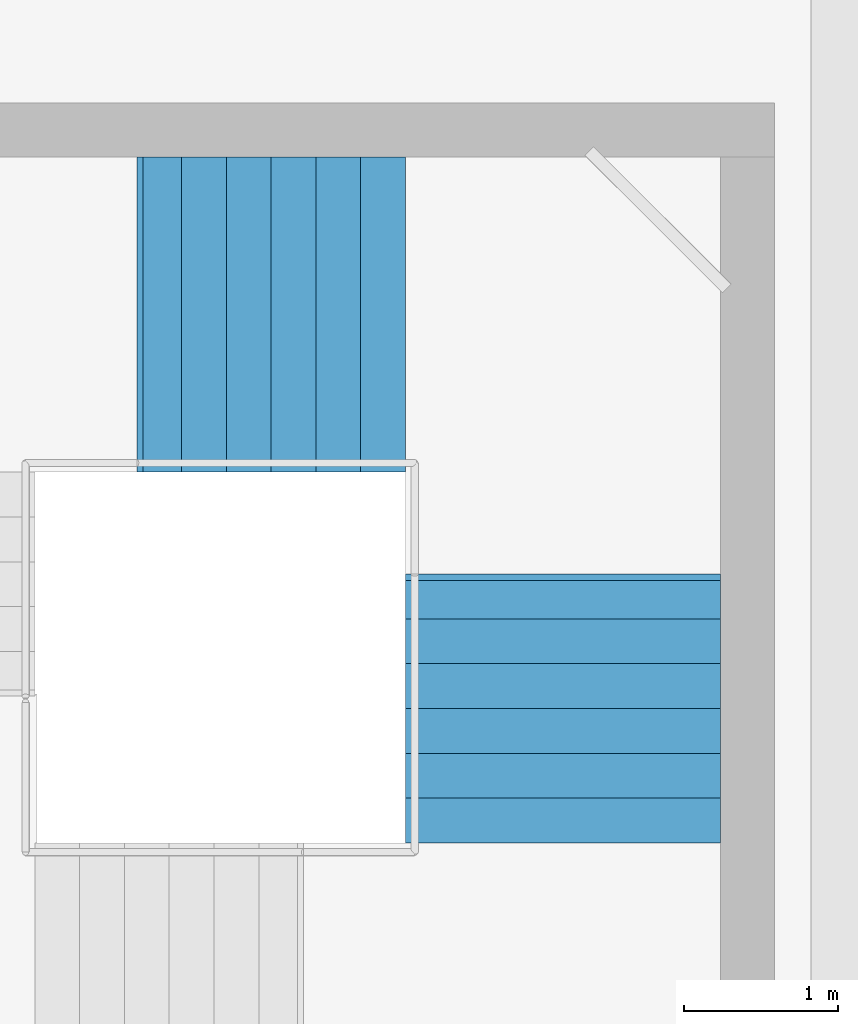
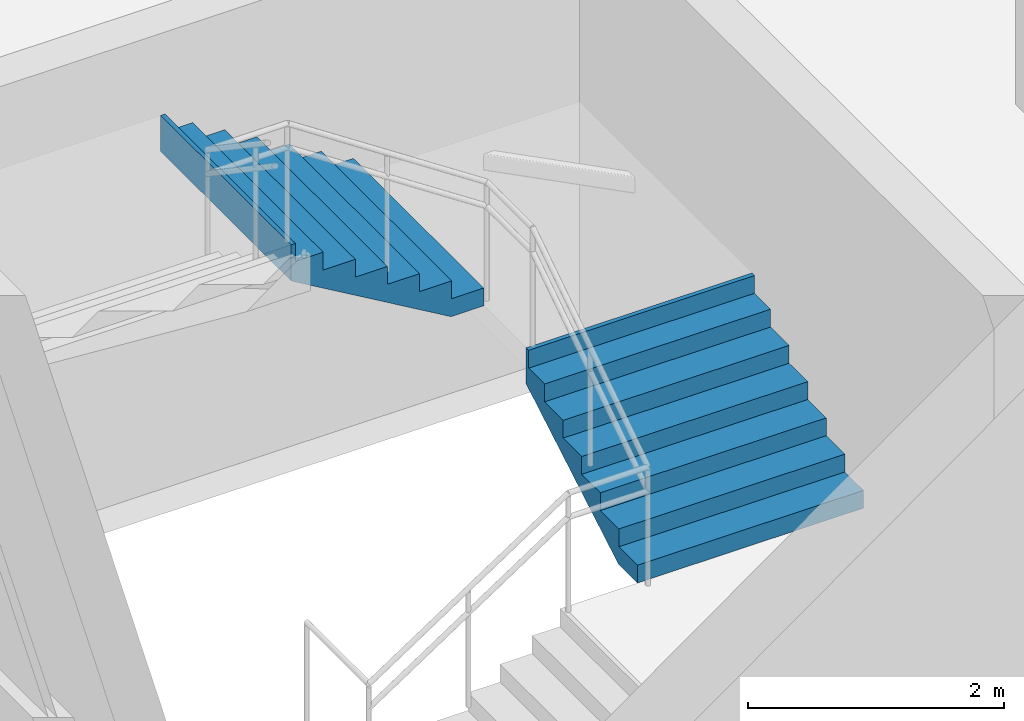
# One storey, part 47 of 49: 2 stair flights, 1 element without a shape of its own.
"""IFC4 building model written with IfcOpenShell, lengths in metres."""

from ifc_helpers import new_model, si_unit, direction, frame, origin, place, context, subcontext, project, spatial, triangles, material, type_object, element, aggregate, save


model = new_model("IFC4")

# Units and contexts
model_context = context("Model", 3, precision=1e-05, world=origin(), true_north=direction((0.0, 1.0)))
body_context = subcontext(model_context, "Body", "Model", "MODEL_VIEW")
ifc_project = project(units=[si_unit("LENGTHUNIT", "METRE"), si_unit("AREAUNIT", "SQUARE_METRE"), si_unit("VOLUMEUNIT", "CUBIC_METRE"), si_unit("PLANEANGLEUNIT", "RADIAN"), si_unit("MASSUNIT", "GRAM", prefix="KILO")], contexts=[model_context])

# Site, building, storey
site_placement = place(None, origin())
site = spatial("IfcSite", under=ifc_project, at=site_placement, CompositionType="ELEMENT")
building_placement = place(site_placement, origin())
building = spatial("IfcBuilding", under=site, at=building_placement, Name="Sillaruma Civic Art Gallery", CompositionType="ELEMENT")
storey_placement = place(building_placement, frame((0.0, 0.0, 33.14990234375)))
storey = spatial("IfcBuildingStorey", under=building, at=storey_placement, Name="L06", CompositionType="ELEMENT", Elevation=33.14990234375)

# Stair, stair flights
ifc_material = material(Name="Concrete H35 (35 MPa)", Category="concrete")
stair_type = type_object("IfcStairType", Name="STR-4F-27", PredefinedType="USERDEFINED", material=ifc_material)
stair_placement = place(storey_placement, origin())
stair = element("IfcStair", 1, at=stair_placement, inside=storey, type_object=stair_type, Name="Protected Exit Stair ST-02 (West Bar North) (L06)", ObjectType="THREE_RETURN_STAIR", PredefinedType="USERDEFINED")
stair_flight_type = type_object("IfcStairFlightType", Name="SFL-STR-7", PredefinedType="STRAIGHT", material=ifc_material)
stair_flight_1_placement = place(storey_placement, frame((68.219970703125, 82.949951171875, 1.190185546875), z_axis=(0.0, 0.0, 1.0), x_axis=(0.0, 1.0, 0.0)))
stair_flight_1 = element("IfcStairFlight", 2, at=stair_flight_1_placement, type_object=stair_flight_type, Name="ST-02 flight 2", NumberOfRisers=7, NumberOfTreads=6, PredefinedType="STRAIGHT", RiserHeight=0.17, TreadLength=0.29, context=body_context, shape_type="Tessellation", body=[
    triangles([(0.0, -1.02001953125, 0.0), (0.29, -1.02001953125, 0.0), (0.296404, -1.02001953125, 0.0), (0.58, -1.02001953125, 0.166246), (0.87, -1.02001953125, 0.336246), (1.16, -1.02001953125, 0.506246), (1.45, -1.02001953125, 0.676246), (1.69999, -1.02001953125, 0.822792), (1.73999, -1.02001953125, 0.84624), (1.73999, -1.02001953125, 1.19), (1.69999, -1.02001953125, 1.19), (1.69999, -1.02001953125, 1.02), (1.45, -1.02001953125, 1.02), (1.45, -1.02001953125, 0.85), (1.16, -1.02001953125, 0.85), (1.16, -1.02001953125, 0.68), (0.87, -1.02001953125, 0.68), (0.87, -1.02001953125, 0.51), (0.58, -1.02001953125, 0.51), (0.58, -1.02001953125, 0.34), (0.296404, -1.02001953125, 0.34), (0.29, -1.02001953125, 0.34), (0.29, -1.02001953125, 0.17), (0.0, -1.02001953125, 0.17), (0.0, -0.05, 0.0), (0.29, -0.05, 0.0), (0.296404, -0.05, 0.0), (0.58, -0.05, 0.166246), (0.87, -0.05, 0.336246), (1.16, -0.05, 0.506246), (1.45, -0.05, 0.676246), (1.69999, -0.05, 0.822792), (1.73999, -0.05, 0.84624), (1.73999, -0.05, 1.19), (1.69999, -0.05, 1.19), (1.69999, -0.05, 1.02), (1.45, -0.05, 1.02), (1.45, -0.05, 0.85), (1.16, -0.05, 0.85), (1.16, -0.05, 0.68), (0.87, -0.05, 0.68), (0.87, -0.05, 0.51), (0.58, -0.05, 0.51), (0.58, -0.05, 0.34), (0.296404, -0.05, 0.34), (0.29, -0.05, 0.34), (0.29, -0.05, 0.17), (0.0, -0.05, 0.17), (0.0, -0.0375, 0.0), (0.29, -0.0375, 0.0), (0.296404, -0.0375, 0.0), (0.58, -0.0375, 0.166246), (0.87, -0.0375, 0.336246), (1.16, -0.0375, 0.506246), (1.45, -0.0375, 0.676246), (1.69999, -0.0375, 0.822792), (1.73999, -0.0375, 0.84624), (1.73999, -0.0375, 1.19), (1.69999, -0.0375, 1.19), (1.69999, -0.0375, 1.02), (1.45, -0.0375, 1.02), (1.45, -0.0375, 0.85), (1.16, -0.0375, 0.85), (1.16, -0.0375, 0.68), (0.87, -0.0375, 0.68), (0.87, -0.0375, 0.51), (0.58, -0.0375, 0.51), (0.58, -0.0375, 0.34), (0.296404, -0.0375, 0.34), (0.29, -0.0375, 0.34), (0.29, -0.0375, 0.17), (0.0, -0.0375, 0.17), (0.0, -0.025, 0.0), (0.29, -0.025, 0.0), (0.296404, -0.025, 0.0), (0.58, -0.025, 0.166246), (0.87, -0.025, 0.336246), (1.16, -0.025, 0.506246), (1.45, -0.025, 0.676246), (1.69999, -0.025, 0.822792), (1.73999, -0.025, 0.84624), (1.73999, -0.025, 1.19), (1.69999, -0.025, 1.19), (1.69999, -0.025, 1.02), (1.45, -0.025, 1.02), (1.45, -0.025, 0.85), (1.16, -0.025, 0.85), (1.16, -0.025, 0.68), (0.87, -0.025, 0.68), (0.87, -0.025, 0.51), (0.58, -0.025, 0.51), (0.58, -0.025, 0.34), (0.296404, -0.025, 0.34), (0.29, -0.025, 0.34), (0.29, -0.025, 0.17), (0.0, -0.025, 0.17), (0.0, -0.0125, 0.0), (0.29, -0.0125, 0.0), (0.296404, -0.0125, 0.0), (0.58, -0.0125, 0.166246), (0.87, -0.0125, 0.336246), (1.16, -0.0125, 0.506246), (1.45, -0.0125, 0.676246), (1.69999, -0.0125, 0.822792), (1.73999, -0.0125, 0.84624), (1.73999, -0.0125, 1.19), (1.69999, -0.0125, 1.19), (1.69999, -0.0125, 1.02), (1.45, -0.0125, 1.02), (1.45, -0.0125, 0.85), (1.16, -0.0125, 0.85), (1.16, -0.0125, 0.68), (0.87, -0.0125, 0.68), (0.87, -0.0125, 0.51), (0.58, -0.0125, 0.51), (0.58, -0.0125, 0.34), (0.296404, -0.0125, 0.34), (0.29, -0.0125, 0.34), (0.29, -0.0125, 0.17), (0.0, -0.0125, 0.17), (0.0, 0.0, 0.0), (0.29, 0.0, 0.0), (0.296404, 0.0, 0.0), (0.58, 0.0, 0.166246), (0.87, 0.0, 0.336246), (1.16, 0.0, 0.506246), (1.45, 0.0, 0.676246), (1.69999, 0.0, 0.822792), (1.73999, 0.0, 0.84624), (1.73999, 0.0, 1.19), (1.69999, 0.0, 1.19), (1.69999, 0.0, 1.02), (1.45, 0.0, 1.02), (1.45, 0.0, 0.85), (1.16, 0.0, 0.85), (1.16, 0.0, 0.68), (0.87, 0.0, 0.68), (0.87, 0.0, 0.51), (0.58, 0.0, 0.51), (0.58, 0.0, 0.34), (0.296404, 0.0, 0.34), (0.29, 0.0, 0.34), (0.29, 0.0, 0.17), (0.0, 0.0, 0.17), (0.0, 0.0125, 0.0), (0.29, 0.0125, 0.0), (0.296404, 0.0125, 0.0), (0.58, 0.0125, 0.166246), (0.87, 0.0125, 0.336246), (1.16, 0.0125, 0.506246), (1.45, 0.0125, 0.676246), (1.69999, 0.0125, 0.822792), (1.73999, 0.0125, 0.84624), (1.73999, 0.0125, 1.19), (1.69999, 0.0125, 1.19), (1.69999, 0.0125, 1.02), (1.45, 0.0125, 1.02), (1.45, 0.0125, 0.85), (1.16, 0.0125, 0.85), (1.16, 0.0125, 0.68), (0.87, 0.0125, 0.68), (0.87, 0.0125, 0.51), (0.58, 0.0125, 0.51), (0.58, 0.0125, 0.34), (0.296404, 0.0125, 0.34), (0.29, 0.0125, 0.34), (0.29, 0.0125, 0.17), (0.0, 0.0125, 0.17), (0.0, 0.025, 0.0), (0.29, 0.025, 0.0), (0.296404, 0.025, 0.0), (0.58, 0.025, 0.166246), (0.87, 0.025, 0.336246), (1.16, 0.025, 0.506246), (1.45, 0.025, 0.676246), (1.69999, 0.025, 0.822792), (1.73999, 0.025, 0.84624), (1.73999, 0.025, 1.19), (1.69999, 0.025, 1.19), (1.69999, 0.025, 1.02), (1.45, 0.025, 1.02), (1.45, 0.025, 0.85), (1.16, 0.025, 0.85), (1.16, 0.025, 0.68), (0.87, 0.025, 0.68), (0.87, 0.025, 0.51), (0.58, 0.025, 0.51), (0.58, 0.025, 0.34), (0.296404, 0.025, 0.34), (0.29, 0.025, 0.34), (0.29, 0.025, 0.17), (0.0, 0.025, 0.17), (0.0, 0.0375, 0.0), (0.29, 0.0375, 0.0), (0.296404, 0.0375, 0.0), (0.58, 0.0375, 0.166246), (0.87, 0.0375, 0.336246), (1.16, 0.0375, 0.506246), (1.45, 0.0375, 0.676246), (1.69999, 0.0375, 0.822792), (1.73999, 0.0375, 0.84624), (1.73999, 0.0375, 1.19), (1.69999, 0.0375, 1.19), (1.69999, 0.0375, 1.02), (1.45, 0.0375, 1.02), (1.45, 0.0375, 0.85), (1.16, 0.0375, 0.85), (1.16, 0.0375, 0.68), (0.87, 0.0375, 0.68), (0.87, 0.0375, 0.51), (0.58, 0.0375, 0.51), (0.58, 0.0375, 0.34), (0.296404, 0.0375, 0.34), (0.29, 0.0375, 0.34), (0.29, 0.0375, 0.17), (0.0, 0.0375, 0.17), (0.0, 0.05, 0.0), (0.29, 0.05, 0.0), (0.296404, 0.05, 0.0), (0.58, 0.05, 0.166246), (0.87, 0.05, 0.336246), (1.16, 0.05, 0.506246), (1.45, 0.05, 0.676246), (1.69999, 0.05, 0.822792), (1.73999, 0.05, 0.84624), (1.73999, 0.05, 1.19), (1.69999, 0.05, 1.19), (1.69999, 0.05, 1.02), (1.45, 0.05, 1.02), (1.45, 0.05, 0.85), (1.16, 0.05, 0.85), (1.16, 0.05, 0.68), (0.87, 0.05, 0.68), (0.87, 0.05, 0.51), (0.58, 0.05, 0.51), (0.58, 0.05, 0.34), (0.296404, 0.05, 0.34), (0.29, 0.05, 0.34), (0.29, 0.05, 0.17), (0.0, 0.05, 0.17), (0.0, 1.02001953125, 0.0), (0.29, 1.02001953125, 0.0), (0.296404, 1.02001953125, 0.0), (0.58, 1.02001953125, 0.166246), (0.87, 1.02001953125, 0.336246), (1.16, 1.02001953125, 0.506246), (1.45, 1.02001953125, 0.676246), (1.69999, 1.02001953125, 0.822792), (1.73999, 1.02001953125, 0.84624), (1.73999, 1.02001953125, 1.19), (1.69999, 1.02001953125, 1.19), (1.69999, 1.02001953125, 1.02), (1.45, 1.02001953125, 1.02), (1.45, 1.02001953125, 0.85), (1.16, 1.02001953125, 0.85), (1.16, 1.02001953125, 0.68), (0.87, 1.02001953125, 0.68), (0.87, 1.02001953125, 0.51), (0.58, 1.02001953125, 0.51), (0.58, 1.02001953125, 0.34), (0.296404, 1.02001953125, 0.34), (0.29, 1.02001953125, 0.34), (0.29, 1.02001953125, 0.17), (0.0, 1.02001953125, 0.17)], [[1, 2, 23], [1, 23, 24], [2, 3, 21], [2, 21, 23], [23, 21, 22], [3, 4, 20], [3, 20, 21], [4, 5, 18], [4, 18, 20], [20, 18, 19], [5, 6, 16], [5, 16, 18], [18, 16, 17], [6, 7, 14], [6, 14, 16], [16, 14, 15], [7, 8, 12], [7, 12, 14], [14, 12, 13], [8, 9, 10], [8, 10, 12], [12, 10, 11], [263, 242, 241], [264, 263, 241], [261, 243, 242], [263, 261, 242], [262, 261, 263], [260, 244, 243], [261, 260, 243], [258, 245, 244], [260, 258, 244], [259, 258, 260], [256, 246, 245], [258, 256, 245], [257, 256, 258], [254, 247, 246], [256, 254, 246], [255, 254, 256], [252, 248, 247], [254, 252, 247], [253, 252, 254], [250, 249, 248], [252, 250, 248], [251, 250, 252], [2, 1, 25], [2, 25, 26], [3, 2, 26], [3, 26, 27], [4, 3, 27], [4, 27, 28], [5, 4, 28], [5, 28, 29], [6, 5, 29], [6, 29, 30], [7, 6, 30], [7, 30, 31], [8, 7, 31], [8, 31, 32], [9, 8, 32], [9, 32, 33], [10, 9, 33], [10, 33, 34], [11, 10, 34], [11, 34, 35], [12, 11, 35], [12, 35, 36], [13, 12, 36], [13, 36, 37], [14, 13, 37], [14, 37, 38], [15, 14, 38], [15, 38, 39], [16, 15, 39], [16, 39, 40], [17, 16, 40], [17, 40, 41], [18, 17, 41], [18, 41, 42], [19, 18, 42], [19, 42, 43], [20, 19, 43], [20, 43, 44], [21, 20, 44], [21, 44, 45], [22, 21, 45], [22, 45, 46], [23, 22, 46], [23, 46, 47], [24, 23, 47], [24, 47, 48], [1, 24, 48], [1, 48, 25], [26, 25, 49], [26, 49, 50], [27, 26, 50], [27, 50, 51], [28, 27, 51], [28, 51, 52], [29, 28, 52], [29, 52, 53], [30, 29, 53], [30, 53, 54], [31, 30, 54], [31, 54, 55], [32, 31, 55], [32, 55, 56], [33, 32, 56], [33, 56, 57], [34, 33, 57], [34, 57, 58], [35, 34, 58], [35, 58, 59], [36, 35, 59], [36, 59, 60], [37, 36, 60], [37, 60, 61], [38, 37, 61], [38, 61, 62], [39, 38, 62], [39, 62, 63], [40, 39, 63], [40, 63, 64], [41, 40, 64], [41, 64, 65], [42, 41, 65], [42, 65, 66], [43, 42, 66], [43, 66, 67], [44, 43, 67], [44, 67, 68], [45, 44, 68], [45, 68, 69], [46, 45, 69], [46, 69, 70], [47, 46, 70], [47, 70, 71], [48, 47, 71], [48, 71, 72], [25, 48, 72], [25, 72, 49], [50, 49, 73], [50, 73, 74], [51, 50, 74], [51, 74, 75], [52, 51, 75], [52, 75, 76], [53, 52, 76], [53, 76, 77], [54, 53, 77], [54, 77, 78], [55, 54, 78], [55, 78, 79], [56, 55, 79], [56, 79, 80], [57, 56, 80], [57, 80, 81], [58, 57, 81], [58, 81, 82], [59, 58, 82], [59, 82, 83], [60, 59, 83], [60, 83, 84], [61, 60, 84], [61, 84, 85], [62, 61, 85], [62, 85, 86], [63, 62, 86], [63, 86, 87], [64, 63, 87], [64, 87, 88], [65, 64, 88], [65, 88, 89], [66, 65, 89], [66, 89, 90], [67, 66, 90], [67, 90, 91], [68, 67, 91], [68, 91, 92], [69, 68, 92], [69, 92, 93], [70, 69, 93], [70, 93, 94], [71, 70, 94], [71, 94, 95], [72, 71, 95], [72, 95, 96], [49, 72, 96], [49, 96, 73], [74, 73, 97], [74, 97, 98], [75, 74, 98], [75, 98, 99], [76, 75, 99], [76, 99, 100], [77, 76, 100], [77, 100, 101], [78, 77, 101], [78, 101, 102], [79, 78, 102], [79, 102, 103], [80, 79, 103], [80, 103, 104], [81, 80, 104], [81, 104, 105], [82, 81, 105], [82, 105, 106], [83, 82, 106], [83, 106, 107], [84, 83, 107], [84, 107, 108], [85, 84, 108], [85, 108, 109], [86, 85, 109], [86, 109, 110], [87, 86, 110], [87, 110, 111], [88, 87, 111], [88, 111, 112], [89, 88, 112], [89, 112, 113], [90, 89, 113], [90, 113, 114], [91, 90, 114], [91, 114, 115], [92, 91, 115], [92, 115, 116], [93, 92, 116], [93, 116, 117], [94, 93, 117], [94, 117, 118], [95, 94, 118], [95, 118, 119], [96, 95, 119], [96, 119, 120], [73, 96, 120], [73, 120, 97], [98, 97, 121], [98, 121, 122], [99, 98, 122], [99, 122, 123], [100, 99, 123], [100, 123, 124], [101, 100, 124], [101, 124, 125], [102, 101, 125], [102, 125, 126], [103, 102, 126], [103, 126, 127], [104, 103, 127], [104, 127, 128], [105, 104, 128], [105, 128, 129], [106, 105, 129], [106, 129, 130], [107, 106, 130], [107, 130, 131], [108, 107, 131], [108, 131, 132], [109, 108, 132], [109, 132, 133], [110, 109, 133], [110, 133, 134], [111, 110, 134], [111, 134, 135], [112, 111, 135], [112, 135, 136], [113, 112, 136], [113, 136, 137], [114, 113, 137], [114, 137, 138], [115, 114, 138], [115, 138, 139], [116, 115, 139], [116, 139, 140], [117, 116, 140], [117, 140, 141], [118, 117, 141], [118, 141, 142], [119, 118, 142], [119, 142, 143], [120, 119, 143], [120, 143, 144], [97, 120, 144], [97, 144, 121], [122, 121, 145], [122, 145, 146], [123, 122, 146], [123, 146, 147], [124, 123, 147], [124, 147, 148], [125, 124, 148], [125, 148, 149], [126, 125, 149], [126, 149, 150], [127, 126, 150], [127, 150, 151], [128, 127, 151], [128, 151, 152], [129, 128, 152], [129, 152, 153], [130, 129, 153], [130, 153, 154], [131, 130, 154], [131, 154, 155], [132, 131, 155], [132, 155, 156], [133, 132, 156], [133, 156, 157], [134, 133, 157], [134, 157, 158], [135, 134, 158], [135, 158, 159], [136, 135, 159], [136, 159, 160], [137, 136, 160], [137, 160, 161], [138, 137, 161], [138, 161, 162], [139, 138, 162], [139, 162, 163], [140, 139, 163], [140, 163, 164], [141, 140, 164], [141, 164, 165], [142, 141, 165], [142, 165, 166], [143, 142, 166], [143, 166, 167], [144, 143, 167], [144, 167, 168], [121, 144, 168], [121, 168, 145], [146, 145, 169], [146, 169, 170], [147, 146, 170], [147, 170, 171], [148, 147, 171], [148, 171, 172], [149, 148, 172], [149, 172, 173], [150, 149, 173], [150, 173, 174], [151, 150, 174], [151, 174, 175], [152, 151, 175], [152, 175, 176], [153, 152, 176], [153, 176, 177], [154, 153, 177], [154, 177, 178], [155, 154, 178], [155, 178, 179], [156, 155, 179], [156, 179, 180], [157, 156, 180], [157, 180, 181], [158, 157, 181], [158, 181, 182], [159, 158, 182], [159, 182, 183], [160, 159, 183], [160, 183, 184], [161, 160, 184], [161, 184, 185], [162, 161, 185], [162, 185, 186], [163, 162, 186], [163, 186, 187], [164, 163, 187], [164, 187, 188], [165, 164, 188], [165, 188, 189], [166, 165, 189], [166, 189, 190], [167, 166, 190], [167, 190, 191], [168, 167, 191], [168, 191, 192], [145, 168, 192], [145, 192, 169], [170, 169, 193], [170, 193, 194], [171, 170, 194], [171, 194, 195], [172, 171, 195], [172, 195, 196], [173, 172, 196], [173, 196, 197], [174, 173, 197], [174, 197, 198], [175, 174, 198], [175, 198, 199], [176, 175, 199], [176, 199, 200], [177, 176, 200], [177, 200, 201], [178, 177, 201], [178, 201, 202], [179, 178, 202], [179, 202, 203], [180, 179, 203], [180, 203, 204], [181, 180, 204], [181, 204, 205], [182, 181, 205], [182, 205, 206], [183, 182, 206], [183, 206, 207], [184, 183, 207], [184, 207, 208], [185, 184, 208], [185, 208, 209], [186, 185, 209], [186, 209, 210], [187, 186, 210], [187, 210, 211], [188, 187, 211], [188, 211, 212], [189, 188, 212], [189, 212, 213], [190, 189, 213], [190, 213, 214], [191, 190, 214], [191, 214, 215], [192, 191, 215], [192, 215, 216], [169, 192, 216], [169, 216, 193], [194, 193, 217], [194, 217, 218], [195, 194, 218], [195, 218, 219], [196, 195, 219], [196, 219, 220], [197, 196, 220], [197, 220, 221], [198, 197, 221], [198, 221, 222], [199, 198, 222], [199, 222, 223], [200, 199, 223], [200, 223, 224], [201, 200, 224], [201, 224, 225], [202, 201, 225], [202, 225, 226], [203, 202, 226], [203, 226, 227], [204, 203, 227], [204, 227, 228], [205, 204, 228], [205, 228, 229], [206, 205, 229], [206, 229, 230], [207, 206, 230], [207, 230, 231], [208, 207, 231], [208, 231, 232], [209, 208, 232], [209, 232, 233], [210, 209, 233], [210, 233, 234], [211, 210, 234], [211, 234, 235], [212, 211, 235], [212, 235, 236], [213, 212, 236], [213, 236, 237], [214, 213, 237], [214, 237, 238], [215, 214, 238], [215, 238, 239], [216, 215, 239], [216, 239, 240], [193, 216, 240], [193, 240, 217], [218, 217, 241], [218, 241, 242], [219, 218, 242], [219, 242, 243], [220, 219, 243], [220, 243, 244], [221, 220, 244], [221, 244, 245], [222, 221, 245], [222, 245, 246], [223, 222, 246], [223, 246, 247], [224, 223, 247], [224, 247, 248], [225, 224, 248], [225, 248, 249], [226, 225, 249], [226, 249, 250], [227, 226, 250], [227, 250, 251], [228, 227, 251], [228, 251, 252], [229, 228, 252], [229, 252, 253], [230, 229, 253], [230, 253, 254], [231, 230, 254], [231, 254, 255], [232, 231, 255], [232, 255, 256], [233, 232, 256], [233, 256, 257], [234, 233, 257], [234, 257, 258], [235, 234, 258], [235, 258, 259], [236, 235, 259], [236, 259, 260], [237, 236, 260], [237, 260, 261], [238, 237, 261], [238, 261, 262], [239, 238, 262], [239, 262, 263], [240, 239, 263], [240, 263, 264], [217, 240, 264], [217, 264, 241]], closed=True),
])
stair_flight_2_placement = place(storey_placement, frame((67.199951171875, 86.3701171875, 2.380126953125), z_axis=(0.0, 0.0, 1.0), x_axis=(-1.0, 0.0, 0.0)))
stair_flight_2 = element("IfcStairFlight", 3, at=stair_flight_2_placement, type_object=stair_flight_type, Name="ST-02 flight 3", NumberOfRisers=7, NumberOfTreads=6, PredefinedType="STRAIGHT", RiserHeight=0.17, TreadLength=0.29, context=body_context, shape_type="Tessellation", body=[
    triangles([(0.0, -1.02001953125, 0.0), (0.29, -1.02001953125, 0.0), (0.296404, -1.02001953125, 0.0), (0.58, -1.02001953125, 0.166246), (0.87, -1.02001953125, 0.336246), (1.16, -1.02001953125, 0.506246), (1.45, -1.02001953125, 0.676246), (1.69999, -1.02001953125, 0.822792), (1.73999, -1.02001953125, 0.84624), (1.73999, -1.02001953125, 1.19), (1.69999, -1.02001953125, 1.19), (1.69999, -1.02001953125, 1.02), (1.45, -1.02001953125, 1.02), (1.45, -1.02001953125, 0.85), (1.16, -1.02001953125, 0.85), (1.16, -1.02001953125, 0.68), (0.87, -1.02001953125, 0.68), (0.87, -1.02001953125, 0.51), (0.58, -1.02001953125, 0.51), (0.58, -1.02001953125, 0.34), (0.296404, -1.02001953125, 0.34), (0.29, -1.02001953125, 0.34), (0.29, -1.02001953125, 0.17), (0.0, -1.02001953125, 0.17), (0.0, -0.05, 0.0), (0.29, -0.05, 0.0), (0.296404, -0.05, 0.0), (0.58, -0.05, 0.166246), (0.87, -0.05, 0.336246), (1.16, -0.05, 0.506246), (1.45, -0.05, 0.676246), (1.69999, -0.05, 0.822792), (1.73999, -0.05, 0.84624), (1.73999, -0.05, 1.19), (1.69999, -0.05, 1.19), (1.69999, -0.05, 1.02), (1.45, -0.05, 1.02), (1.45, -0.05, 0.85), (1.16, -0.05, 0.85), (1.16, -0.05, 0.68), (0.87, -0.05, 0.68), (0.87, -0.05, 0.51), (0.58, -0.05, 0.51), (0.58, -0.05, 0.34), (0.296404, -0.05, 0.34), (0.29, -0.05, 0.34), (0.29, -0.05, 0.17), (0.0, -0.05, 0.17), (0.0, -0.0375, 0.0), (0.29, -0.0375, 0.0), (0.296404, -0.0375, 0.0), (0.58, -0.0375, 0.166246), (0.87, -0.0375, 0.336246), (1.16, -0.0375, 0.506246), (1.45, -0.0375, 0.676246), (1.69999, -0.0375, 0.822792), (1.73999, -0.0375, 0.84624), (1.73999, -0.0375, 1.19), (1.69999, -0.0375, 1.19), (1.69999, -0.0375, 1.02), (1.45, -0.0375, 1.02), (1.45, -0.0375, 0.85), (1.16, -0.0375, 0.85), (1.16, -0.0375, 0.68), (0.87, -0.0375, 0.68), (0.87, -0.0375, 0.51), (0.58, -0.0375, 0.51), (0.58, -0.0375, 0.34), (0.296404, -0.0375, 0.34), (0.29, -0.0375, 0.34), (0.29, -0.0375, 0.17), (0.0, -0.0375, 0.17), (0.0, -0.025, 0.0), (0.29, -0.025, 0.0), (0.296404, -0.025, 0.0), (0.58, -0.025, 0.166246), (0.87, -0.025, 0.336246), (1.16, -0.025, 0.506246), (1.45, -0.025, 0.676246), (1.69999, -0.025, 0.822792), (1.73999, -0.025, 0.84624), (1.73999, -0.025, 1.19), (1.69999, -0.025, 1.19), (1.69999, -0.025, 1.02), (1.45, -0.025, 1.02), (1.45, -0.025, 0.85), (1.16, -0.025, 0.85), (1.16, -0.025, 0.68), (0.87, -0.025, 0.68), (0.87, -0.025, 0.51), (0.58, -0.025, 0.51), (0.58, -0.025, 0.34), (0.296404, -0.025, 0.34), (0.29, -0.025, 0.34), (0.29, -0.025, 0.17), (0.0, -0.025, 0.17), (0.0, -0.0125, 0.0), (0.29, -0.0125, 0.0), (0.296404, -0.0125, 0.0), (0.58, -0.0125, 0.166246), (0.87, -0.0125, 0.336246), (1.16, -0.0125, 0.506246), (1.45, -0.0125, 0.676246), (1.69999, -0.0125, 0.822792), (1.73999, -0.0125, 0.84624), (1.73999, -0.0125, 1.19), (1.69999, -0.0125, 1.19), (1.69999, -0.0125, 1.02), (1.45, -0.0125, 1.02), (1.45, -0.0125, 0.85), (1.16, -0.0125, 0.85), (1.16, -0.0125, 0.68), (0.87, -0.0125, 0.68), (0.87, -0.0125, 0.51), (0.58, -0.0125, 0.51), (0.58, -0.0125, 0.34), (0.296404, -0.0125, 0.34), (0.29, -0.0125, 0.34), (0.29, -0.0125, 0.17), (0.0, -0.0125, 0.17), (0.0, 0.0, 0.0), (0.29, 0.0, 0.0), (0.296404, 0.0, 0.0), (0.58, 0.0, 0.166246), (0.87, 0.0, 0.336246), (1.16, 0.0, 0.506246), (1.45, 0.0, 0.676246), (1.69999, 0.0, 0.822792), (1.73999, 0.0, 0.84624), (1.73999, 0.0, 1.19), (1.69999, 0.0, 1.19), (1.69999, 0.0, 1.02), (1.45, 0.0, 1.02), (1.45, 0.0, 0.85), (1.16, 0.0, 0.85), (1.16, 0.0, 0.68), (0.87, 0.0, 0.68), (0.87, 0.0, 0.51), (0.58, 0.0, 0.51), (0.58, 0.0, 0.34), (0.296404, 0.0, 0.34), (0.29, 0.0, 0.34), (0.29, 0.0, 0.17), (0.0, 0.0, 0.17), (0.0, 0.0125, 0.0), (0.29, 0.0125, 0.0), (0.296404, 0.0125, 0.0), (0.58, 0.0125, 0.166246), (0.87, 0.0125, 0.336246), (1.16, 0.0125, 0.506246), (1.45, 0.0125, 0.676246), (1.69999, 0.0125, 0.822792), (1.73999, 0.0125, 0.84624), (1.73999, 0.0125, 1.19), (1.69999, 0.0125, 1.19), (1.69999, 0.0125, 1.02), (1.45, 0.0125, 1.02), (1.45, 0.0125, 0.85), (1.16, 0.0125, 0.85), (1.16, 0.0125, 0.68), (0.87, 0.0125, 0.68), (0.87, 0.0125, 0.51), (0.58, 0.0125, 0.51), (0.58, 0.0125, 0.34), (0.296404, 0.0125, 0.34), (0.29, 0.0125, 0.34), (0.29, 0.0125, 0.17), (0.0, 0.0125, 0.17), (0.0, 0.025, 0.0), (0.29, 0.025, 0.0), (0.296404, 0.025, 0.0), (0.58, 0.025, 0.166246), (0.87, 0.025, 0.336246), (1.16, 0.025, 0.506246), (1.45, 0.025, 0.676246), (1.69999, 0.025, 0.822792), (1.73999, 0.025, 0.84624), (1.73999, 0.025, 1.19), (1.69999, 0.025, 1.19), (1.69999, 0.025, 1.02), (1.45, 0.025, 1.02), (1.45, 0.025, 0.85), (1.16, 0.025, 0.85), (1.16, 0.025, 0.68), (0.87, 0.025, 0.68), (0.87, 0.025, 0.51), (0.58, 0.025, 0.51), (0.58, 0.025, 0.34), (0.296404, 0.025, 0.34), (0.29, 0.025, 0.34), (0.29, 0.025, 0.17), (0.0, 0.025, 0.17), (0.0, 0.0375, 0.0), (0.29, 0.0375, 0.0), (0.296404, 0.0375, 0.0), (0.58, 0.0375, 0.166246), (0.87, 0.0375, 0.336246), (1.16, 0.0375, 0.506246), (1.45, 0.0375, 0.676246), (1.69999, 0.0375, 0.822792), (1.73999, 0.0375, 0.84624), (1.73999, 0.0375, 1.19), (1.69999, 0.0375, 1.19), (1.69999, 0.0375, 1.02), (1.45, 0.0375, 1.02), (1.45, 0.0375, 0.85), (1.16, 0.0375, 0.85), (1.16, 0.0375, 0.68), (0.87, 0.0375, 0.68), (0.87, 0.0375, 0.51), (0.58, 0.0375, 0.51), (0.58, 0.0375, 0.34), (0.296404, 0.0375, 0.34), (0.29, 0.0375, 0.34), (0.29, 0.0375, 0.17), (0.0, 0.0375, 0.17), (0.0, 0.05, 0.0), (0.29, 0.05, 0.0), (0.296404, 0.05, 0.0), (0.58, 0.05, 0.166246), (0.87, 0.05, 0.336246), (1.16, 0.05, 0.506246), (1.45, 0.05, 0.676246), (1.69999, 0.05, 0.822792), (1.73999, 0.05, 0.84624), (1.73999, 0.05, 1.19), (1.69999, 0.05, 1.19), (1.69999, 0.05, 1.02), (1.45, 0.05, 1.02), (1.45, 0.05, 0.85), (1.16, 0.05, 0.85), (1.16, 0.05, 0.68), (0.87, 0.05, 0.68), (0.87, 0.05, 0.51), (0.58, 0.05, 0.51), (0.58, 0.05, 0.34), (0.296404, 0.05, 0.34), (0.29, 0.05, 0.34), (0.29, 0.05, 0.17), (0.0, 0.05, 0.17), (0.0, 1.02001953125, 0.0), (0.29, 1.02001953125, 0.0), (0.296404, 1.02001953125, 0.0), (0.58, 1.02001953125, 0.166246), (0.87, 1.02001953125, 0.336246), (1.16, 1.02001953125, 0.506246), (1.45, 1.02001953125, 0.676246), (1.69999, 1.02001953125, 0.822792), (1.73999, 1.02001953125, 0.84624), (1.73999, 1.02001953125, 1.19), (1.69999, 1.02001953125, 1.19), (1.69999, 1.02001953125, 1.02), (1.45, 1.02001953125, 1.02), (1.45, 1.02001953125, 0.85), (1.16, 1.02001953125, 0.85), (1.16, 1.02001953125, 0.68), (0.87, 1.02001953125, 0.68), (0.87, 1.02001953125, 0.51), (0.58, 1.02001953125, 0.51), (0.58, 1.02001953125, 0.34), (0.296404, 1.02001953125, 0.34), (0.29, 1.02001953125, 0.34), (0.29, 1.02001953125, 0.17), (0.0, 1.02001953125, 0.17)], [[1, 2, 23], [1, 23, 24], [2, 3, 21], [2, 21, 23], [23, 21, 22], [3, 4, 20], [3, 20, 21], [4, 5, 18], [4, 18, 20], [20, 18, 19], [5, 6, 16], [5, 16, 18], [18, 16, 17], [6, 7, 14], [6, 14, 16], [16, 14, 15], [7, 8, 12], [7, 12, 14], [14, 12, 13], [8, 9, 10], [8, 10, 12], [12, 10, 11], [263, 242, 241], [264, 263, 241], [261, 243, 242], [263, 261, 242], [262, 261, 263], [260, 244, 243], [261, 260, 243], [258, 245, 244], [260, 258, 244], [259, 258, 260], [256, 246, 245], [258, 256, 245], [257, 256, 258], [254, 247, 246], [256, 254, 246], [255, 254, 256], [252, 248, 247], [254, 252, 247], [253, 252, 254], [250, 249, 248], [252, 250, 248], [251, 250, 252], [2, 1, 25], [2, 25, 26], [3, 2, 26], [3, 26, 27], [4, 3, 27], [4, 27, 28], [5, 4, 28], [5, 28, 29], [6, 5, 29], [6, 29, 30], [7, 6, 30], [7, 30, 31], [8, 7, 31], [8, 31, 32], [9, 8, 32], [9, 32, 33], [10, 9, 33], [10, 33, 34], [11, 10, 34], [11, 34, 35], [12, 11, 35], [12, 35, 36], [13, 12, 36], [13, 36, 37], [14, 13, 37], [14, 37, 38], [15, 14, 38], [15, 38, 39], [16, 15, 39], [16, 39, 40], [17, 16, 40], [17, 40, 41], [18, 17, 41], [18, 41, 42], [19, 18, 42], [19, 42, 43], [20, 19, 43], [20, 43, 44], [21, 20, 44], [21, 44, 45], [22, 21, 45], [22, 45, 46], [23, 22, 46], [23, 46, 47], [24, 23, 47], [24, 47, 48], [1, 24, 48], [1, 48, 25], [26, 25, 49], [26, 49, 50], [27, 26, 50], [27, 50, 51], [28, 27, 51], [28, 51, 52], [29, 28, 52], [29, 52, 53], [30, 29, 53], [30, 53, 54], [31, 30, 54], [31, 54, 55], [32, 31, 55], [32, 55, 56], [33, 32, 56], [33, 56, 57], [34, 33, 57], [34, 57, 58], [35, 34, 58], [35, 58, 59], [36, 35, 59], [36, 59, 60], [37, 36, 60], [37, 60, 61], [38, 37, 61], [38, 61, 62], [39, 38, 62], [39, 62, 63], [40, 39, 63], [40, 63, 64], [41, 40, 64], [41, 64, 65], [42, 41, 65], [42, 65, 66], [43, 42, 66], [43, 66, 67], [44, 43, 67], [44, 67, 68], [45, 44, 68], [45, 68, 69], [46, 45, 69], [46, 69, 70], [47, 46, 70], [47, 70, 71], [48, 47, 71], [48, 71, 72], [25, 48, 72], [25, 72, 49], [50, 49, 73], [50, 73, 74], [51, 50, 74], [51, 74, 75], [52, 51, 75], [52, 75, 76], [53, 52, 76], [53, 76, 77], [54, 53, 77], [54, 77, 78], [55, 54, 78], [55, 78, 79], [56, 55, 79], [56, 79, 80], [57, 56, 80], [57, 80, 81], [58, 57, 81], [58, 81, 82], [59, 58, 82], [59, 82, 83], [60, 59, 83], [60, 83, 84], [61, 60, 84], [61, 84, 85], [62, 61, 85], [62, 85, 86], [63, 62, 86], [63, 86, 87], [64, 63, 87], [64, 87, 88], [65, 64, 88], [65, 88, 89], [66, 65, 89], [66, 89, 90], [67, 66, 90], [67, 90, 91], [68, 67, 91], [68, 91, 92], [69, 68, 92], [69, 92, 93], [70, 69, 93], [70, 93, 94], [71, 70, 94], [71, 94, 95], [72, 71, 95], [72, 95, 96], [49, 72, 96], [49, 96, 73], [74, 73, 97], [74, 97, 98], [75, 74, 98], [75, 98, 99], [76, 75, 99], [76, 99, 100], [77, 76, 100], [77, 100, 101], [78, 77, 101], [78, 101, 102], [79, 78, 102], [79, 102, 103], [80, 79, 103], [80, 103, 104], [81, 80, 104], [81, 104, 105], [82, 81, 105], [82, 105, 106], [83, 82, 106], [83, 106, 107], [84, 83, 107], [84, 107, 108], [85, 84, 108], [85, 108, 109], [86, 85, 109], [86, 109, 110], [87, 86, 110], [87, 110, 111], [88, 87, 111], [88, 111, 112], [89, 88, 112], [89, 112, 113], [90, 89, 113], [90, 113, 114], [91, 90, 114], [91, 114, 115], [92, 91, 115], [92, 115, 116], [93, 92, 116], [93, 116, 117], [94, 93, 117], [94, 117, 118], [95, 94, 118], [95, 118, 119], [96, 95, 119], [96, 119, 120], [73, 96, 120], [73, 120, 97], [98, 97, 121], [98, 121, 122], [99, 98, 122], [99, 122, 123], [100, 99, 123], [100, 123, 124], [101, 100, 124], [101, 124, 125], [102, 101, 125], [102, 125, 126], [103, 102, 126], [103, 126, 127], [104, 103, 127], [104, 127, 128], [105, 104, 128], [105, 128, 129], [106, 105, 129], [106, 129, 130], [107, 106, 130], [107, 130, 131], [108, 107, 131], [108, 131, 132], [109, 108, 132], [109, 132, 133], [110, 109, 133], [110, 133, 134], [111, 110, 134], [111, 134, 135], [112, 111, 135], [112, 135, 136], [113, 112, 136], [113, 136, 137], [114, 113, 137], [114, 137, 138], [115, 114, 138], [115, 138, 139], [116, 115, 139], [116, 139, 140], [117, 116, 140], [117, 140, 141], [118, 117, 141], [118, 141, 142], [119, 118, 142], [119, 142, 143], [120, 119, 143], [120, 143, 144], [97, 120, 144], [97, 144, 121], [122, 121, 145], [122, 145, 146], [123, 122, 146], [123, 146, 147], [124, 123, 147], [124, 147, 148], [125, 124, 148], [125, 148, 149], [126, 125, 149], [126, 149, 150], [127, 126, 150], [127, 150, 151], [128, 127, 151], [128, 151, 152], [129, 128, 152], [129, 152, 153], [130, 129, 153], [130, 153, 154], [131, 130, 154], [131, 154, 155], [132, 131, 155], [132, 155, 156], [133, 132, 156], [133, 156, 157], [134, 133, 157], [134, 157, 158], [135, 134, 158], [135, 158, 159], [136, 135, 159], [136, 159, 160], [137, 136, 160], [137, 160, 161], [138, 137, 161], [138, 161, 162], [139, 138, 162], [139, 162, 163], [140, 139, 163], [140, 163, 164], [141, 140, 164], [141, 164, 165], [142, 141, 165], [142, 165, 166], [143, 142, 166], [143, 166, 167], [144, 143, 167], [144, 167, 168], [121, 144, 168], [121, 168, 145], [146, 145, 169], [146, 169, 170], [147, 146, 170], [147, 170, 171], [148, 147, 171], [148, 171, 172], [149, 148, 172], [149, 172, 173], [150, 149, 173], [150, 173, 174], [151, 150, 174], [151, 174, 175], [152, 151, 175], [152, 175, 176], [153, 152, 176], [153, 176, 177], [154, 153, 177], [154, 177, 178], [155, 154, 178], [155, 178, 179], [156, 155, 179], [156, 179, 180], [157, 156, 180], [157, 180, 181], [158, 157, 181], [158, 181, 182], [159, 158, 182], [159, 182, 183], [160, 159, 183], [160, 183, 184], [161, 160, 184], [161, 184, 185], [162, 161, 185], [162, 185, 186], [163, 162, 186], [163, 186, 187], [164, 163, 187], [164, 187, 188], [165, 164, 188], [165, 188, 189], [166, 165, 189], [166, 189, 190], [167, 166, 190], [167, 190, 191], [168, 167, 191], [168, 191, 192], [145, 168, 192], [145, 192, 169], [170, 169, 193], [170, 193, 194], [171, 170, 194], [171, 194, 195], [172, 171, 195], [172, 195, 196], [173, 172, 196], [173, 196, 197], [174, 173, 197], [174, 197, 198], [175, 174, 198], [175, 198, 199], [176, 175, 199], [176, 199, 200], [177, 176, 200], [177, 200, 201], [178, 177, 201], [178, 201, 202], [179, 178, 202], [179, 202, 203], [180, 179, 203], [180, 203, 204], [181, 180, 204], [181, 204, 205], [182, 181, 205], [182, 205, 206], [183, 182, 206], [183, 206, 207], [184, 183, 207], [184, 207, 208], [185, 184, 208], [185, 208, 209], [186, 185, 209], [186, 209, 210], [187, 186, 210], [187, 210, 211], [188, 187, 211], [188, 211, 212], [189, 188, 212], [189, 212, 213], [190, 189, 213], [190, 213, 214], [191, 190, 214], [191, 214, 215], [192, 191, 215], [192, 215, 216], [169, 192, 216], [169, 216, 193], [194, 193, 217], [194, 217, 218], [195, 194, 218], [195, 218, 219], [196, 195, 219], [196, 219, 220], [197, 196, 220], [197, 220, 221], [198, 197, 221], [198, 221, 222], [199, 198, 222], [199, 222, 223], [200, 199, 223], [200, 223, 224], [201, 200, 224], [201, 224, 225], [202, 201, 225], [202, 225, 226], [203, 202, 226], [203, 226, 227], [204, 203, 227], [204, 227, 228], [205, 204, 228], [205, 228, 229], [206, 205, 229], [206, 229, 230], [207, 206, 230], [207, 230, 231], [208, 207, 231], [208, 231, 232], [209, 208, 232], [209, 232, 233], [210, 209, 233], [210, 233, 234], [211, 210, 234], [211, 234, 235], [212, 211, 235], [212, 235, 236], [213, 212, 236], [213, 236, 237], [214, 213, 237], [214, 237, 238], [215, 214, 238], [215, 238, 239], [216, 215, 239], [216, 239, 240], [193, 216, 240], [193, 240, 217], [218, 217, 241], [218, 241, 242], [219, 218, 242], [219, 242, 243], [220, 219, 243], [220, 243, 244], [221, 220, 244], [221, 244, 245], [222, 221, 245], [222, 245, 246], [223, 222, 246], [223, 246, 247], [224, 223, 247], [224, 247, 248], [225, 224, 248], [225, 248, 249], [226, 225, 249], [226, 249, 250], [227, 226, 250], [227, 250, 251], [228, 227, 251], [228, 251, 252], [229, 228, 252], [229, 252, 253], [230, 229, 253], [230, 253, 254], [231, 230, 254], [231, 254, 255], [232, 231, 255], [232, 255, 256], [233, 232, 256], [233, 256, 257], [234, 233, 257], [234, 257, 258], [235, 234, 258], [235, 258, 259], [236, 235, 259], [236, 259, 260], [237, 236, 260], [237, 260, 261], [238, 237, 261], [238, 261, 262], [239, 238, 262], [239, 262, 263], [240, 239, 263], [240, 263, 264], [217, 240, 264], [217, 264, 241]], closed=True),
])
aggregate(stair, [stair_flight_1, stair_flight_2])

save(model, "model.ifc")
